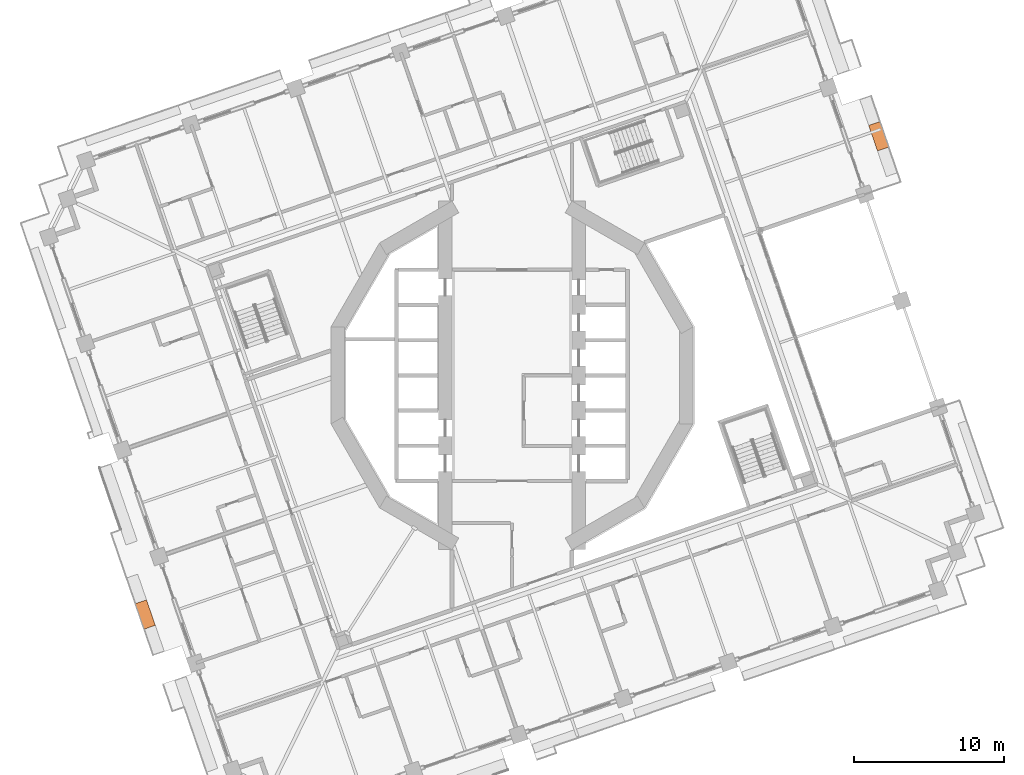
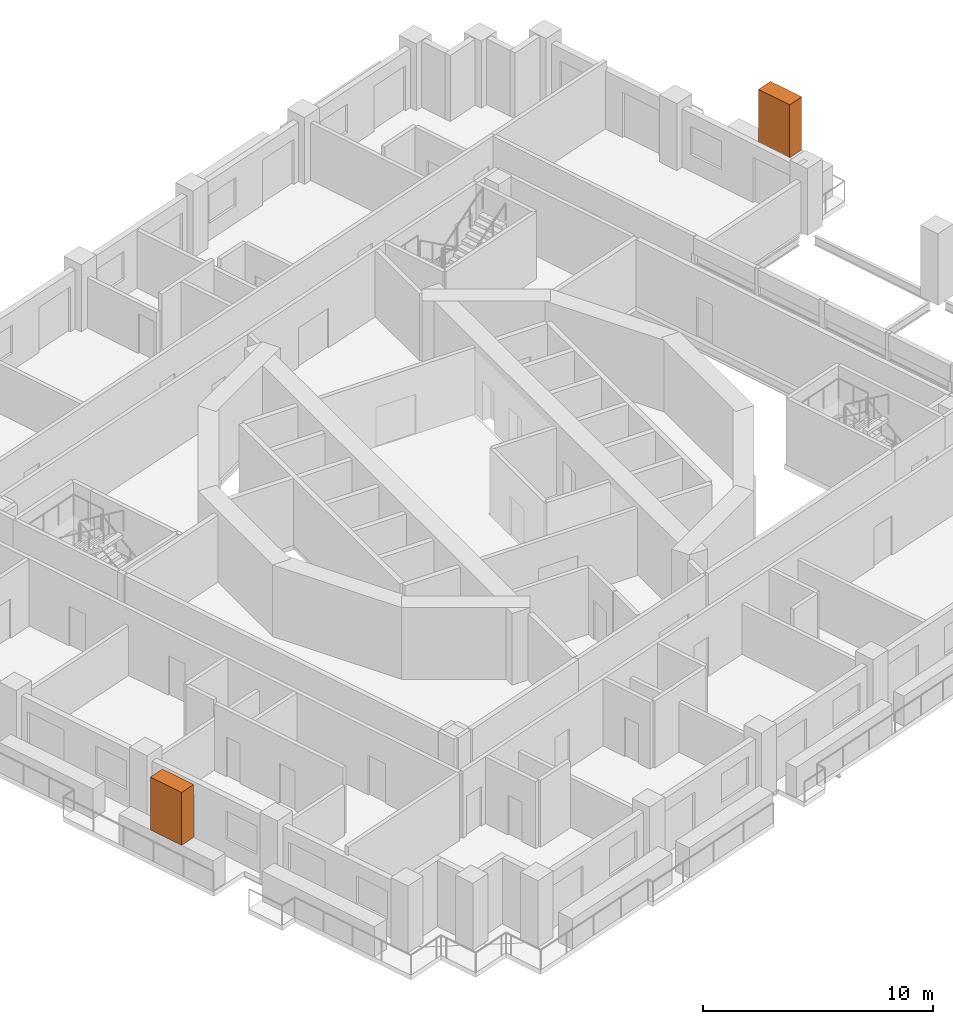
# One storey, part 21 of 21: 2 proxies.
"""IFC4 building model written with IfcOpenShell, lengths in metres."""

from ifc_helpers import new_model, si_unit, direction, frame, origin, origin_2d, place, context, subcontext, project, spatial, rectangle, extrude, element, save


model = new_model("IFC4")

# Units and contexts
model_context = context("Model", 3, precision=1e-05, world=origin(), true_north=direction((0.0, 1.0)))
body_context = subcontext(model_context, "Body", "Model", "MODEL_VIEW")
ifc_project = project(units=[si_unit("LENGTHUNIT", "METRE"), si_unit("AREAUNIT", "SQUARE_METRE"), si_unit("VOLUMEUNIT", "CUBIC_METRE"), si_unit("PLANEANGLEUNIT", "RADIAN"), si_unit("MASSUNIT", "GRAM", prefix="KILO")], contexts=[model_context])

# Site, building, storey
site_placement = place(None, origin())
site = spatial("IfcSite", under=ifc_project, at=site_placement, CompositionType="ELEMENT")
building_placement = place(site_placement, origin())
building = spatial("IfcBuilding", under=site, at=building_placement, Name="Cantera Rosa Tower", CompositionType="ELEMENT")
storey_placement = place(building_placement, frame((0.0, 0.0, 119.300048828125)))
storey = spatial("IfcBuildingStorey", under=building, at=storey_placement, Name="L24", CompositionType="ELEMENT", Elevation=119.300048828125)

# Proxies
for number, where, z_axis, x_axis, name in (
    (1, (24.47265625, 15.956787109375, 1.60009765625), (0.0, 0.0, 1.0), (-0.325568154457, 0.945518575599, 0.0), "TREE L24-04"),
    (2, (-24.47265625, -15.956787109375, 1.60009765625), (0.0, 0.0, 1.0), (0.325568154457, -0.945518575599, 0.0), "TREE L24-15"),
):
    element("IfcBuildingElementProxy", number, at=place(storey_placement, frame(where, z_axis=z_axis, x_axis=x_axis)), inside=storey, Name=name, ObjectType="TREE", PredefinedType="USERDEFINED", context=body_context, shape_type="SweptSolid", body=[
        extrude(rectangle(XDim=1.800048828125, YDim=0.800048828125, at=origin_2d()), origin(), (0.0, 0.0, 1.0), 2.800048828125),
    ])

save(model, "model.ifc")
